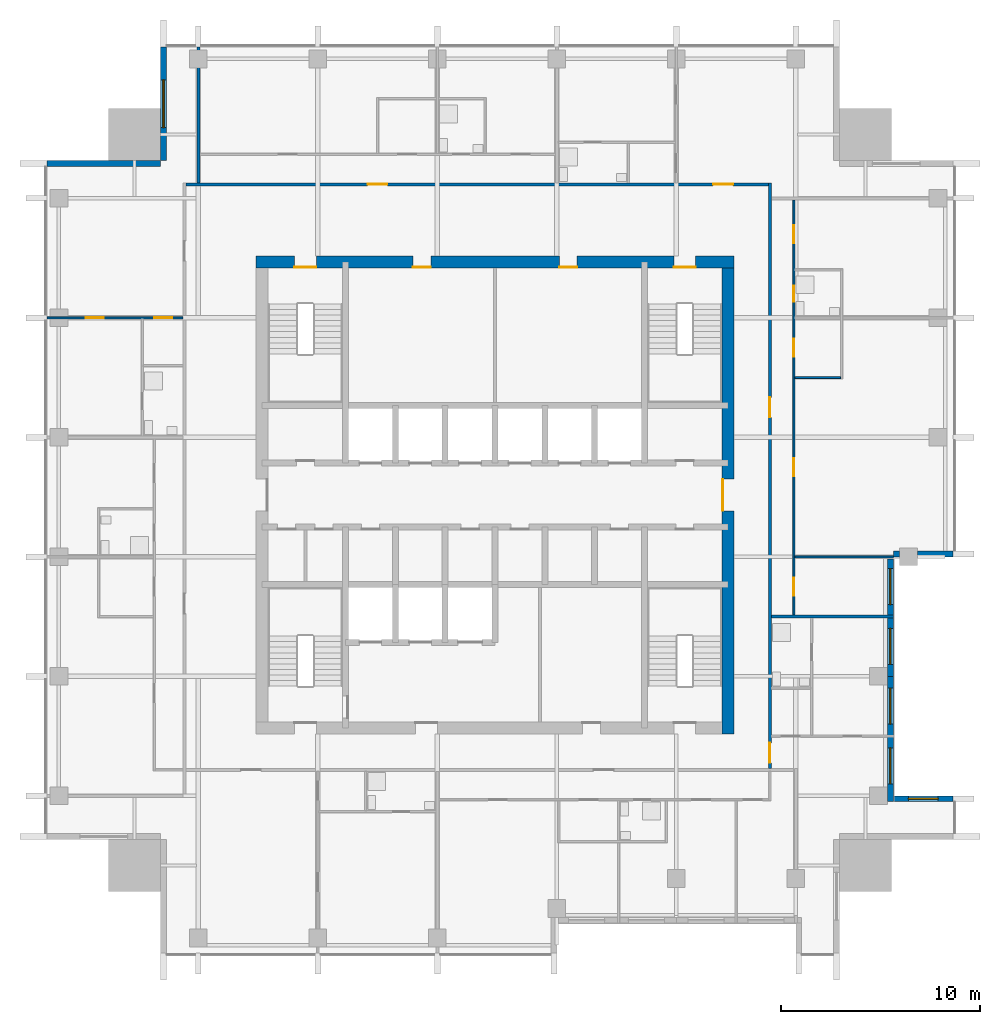
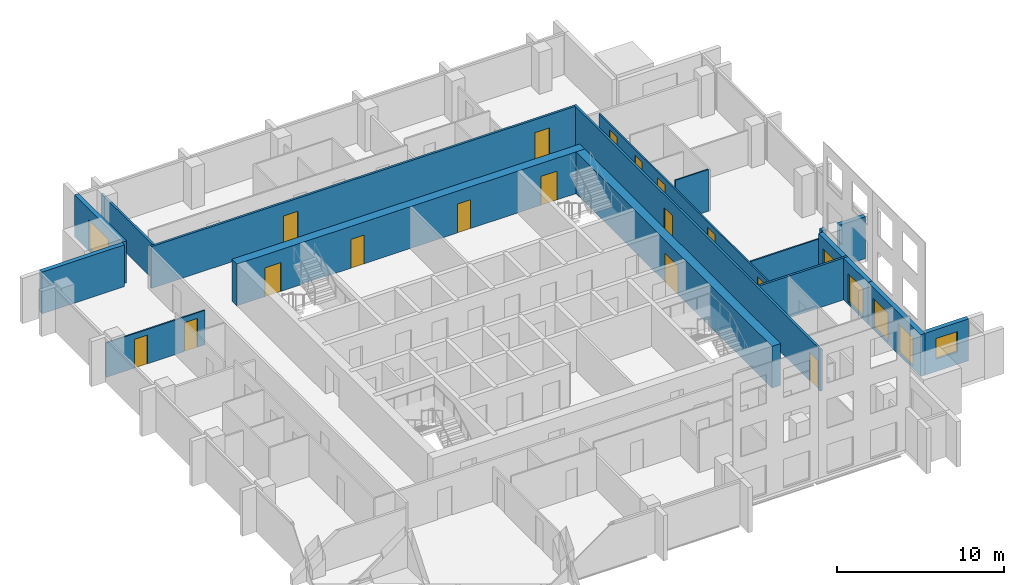
# One storey, part 6 of 10: 17 walls, 16 doors, 6 windows, 22 openings.
"""IFC4 building model written with IfcOpenShell, lengths in metres."""

from ifc_helpers import new_model, si_unit, direction, frame, frame_2d, origin, place, context, subcontext, project, spatial, rectangle, extrude, material, layer, layer_set, type_object, element, fill, save


model = new_model("IFC4")

# Units and contexts
model_context = context("Model", 3, precision=1e-05, world=origin(), true_north=direction((0.0, 1.0)))
body_context = subcontext(model_context, "Body", "Model", "MODEL_VIEW")
ifc_project = project(units=[si_unit("LENGTHUNIT", "METRE"), si_unit("AREAUNIT", "SQUARE_METRE"), si_unit("VOLUMEUNIT", "CUBIC_METRE"), si_unit("PLANEANGLEUNIT", "RADIAN"), si_unit("MASSUNIT", "GRAM", prefix="KILO")], contexts=[model_context])

# Site, building, storey
site_placement = place(None, origin())
site = spatial("IfcSite", under=ifc_project, at=site_placement, CompositionType="ELEMENT")
building_placement = place(site_placement, origin())
building = spatial("IfcBuilding", under=site, at=building_placement, Name="Amberfall Residences", CompositionType="ELEMENT")
storey_placement = place(building_placement, frame((0.0, 0.0, 206.800048828125)))
storey = spatial("IfcBuildingStorey", under=building, at=storey_placement, Name="L55", CompositionType="ELEMENT", Elevation=206.800048828125)

# Wall, opening, window
ifc_material_1 = material(Name="Pale stone cladding on insulated backing", Category="masonry")
ifc_layer_1 = layer(ifc_material_1, 0.300048828125)
ifc_layer_set_1 = layer_set([ifc_layer_1], Name="Bronze clad wall 300")
wall_type_1 = type_object("IfcWallType", Name="Bronze clad wall 300", PredefinedType="SOLIDWALL", material=ifc_layer_set_1)
wall_1_placement = place(storey_placement, frame((97.5, 30.25, 0.0), z_axis=(0.0, 0.0, 1.0), x_axis=(-1.0, 0.0, 0.0)))
wall_1 = element("IfcWall", 1, at=wall_1_placement, inside=storey, type_object=wall_type_1, Name="External wall L55 E", PredefinedType="SOLIDWALL", context=body_context, shape_type="SweptSolid", body=[
    extrude(rectangle(XDim=3.0, YDim=0.300048828125, at=frame_2d((1.5, 0.0))), origin(), (0.0, 0.0, 1.0), 3.050048828125),
])
opening_1_placement = place(wall_1_placement, frame((0.75, 0.0, 0.89990234375)))
opening_1 = element("IfcOpeningElement", 2, at=opening_1_placement, cuts=wall_1, Name="Opening WN1", PredefinedType="OPENING", context=body_context, shape_type="SweptSolid", body=[
    extrude(rectangle(XDim=1.5, YDim=1.5, at=frame_2d((0.75, 0.75))), frame((0.0, 0.159912109375, 0.0), z_axis=(0.0, -1.0, 0.0), x_axis=(1.0, 0.0, 0.0)), (0.0, 0.0, 1.0), 0.320068359375),
])
ifc_material_2 = material(Name="Bronze aluminium framed glazing", Category="aluminium")
window_type_1 = type_object("IfcWindowType", Name="Window 1500 x 1500 bronze", PartitioningType="DOUBLE_PANEL_VERTICAL", PredefinedType="WINDOW", material=ifc_material_2)
window_1_placement = place(opening_1_placement, origin())
window_1 = element("IfcWindow", 3, at=window_1_placement, inside=storey, type_object=window_type_1, Name="Window L55 E", OverallHeight=1.5, OverallWidth=1.5, PartitioningType="DOUBLE_PANEL_VERTICAL", PredefinedType="WINDOW", context=body_context, shape_type="SweptSolid", body=[
    extrude(rectangle(XDim=1.5, YDim=1.5, at=frame_2d((0.75, 0.75))), frame((0.0, 0.030029296875, 0.0), z_axis=(0.0, -1.0, 0.0), x_axis=(1.0, 0.0, 0.0)), (0.0, 0.0, 1.0), 0.06005859375),
])
fill(opening_1, window_1)

# Walls
wall_2_placement = place(storey_placement, frame((94.5, 42.550048828125, 0.0), z_axis=(0.0, 0.0, 1.0), x_axis=(1.0, 0.0, 0.0)))
element("IfcWall", 4, at=wall_2_placement, inside=storey, type_object=wall_type_1, Name="External wall L55 E", PredefinedType="SOLIDWALL", context=body_context, shape_type="SweptSolid", body=[
    extrude(rectangle(XDim=0.300048828125, YDim=0.300048828125, at=frame_2d((0.14990234375, 0.0))), origin(), (0.0, 0.0, 1.0), 3.050048828125),
])
wall_3_placement = place(storey_placement, frame((95.699951171875, 42.550048828125, 0.0), z_axis=(0.0, 0.0, 1.0), x_axis=(1.0, 0.0, 0.0)))
element("IfcWall", 5, at=wall_3_placement, inside=storey, type_object=wall_type_1, Name="External wall L55 E", PredefinedType="SOLIDWALL", context=body_context, shape_type="SweptSolid", body=[
    extrude(rectangle(XDim=1.800048828125, YDim=0.300048828125, at=frame_2d((0.89990234375, 0.0))), origin(), (0.0, 0.0, 1.0), 3.050048828125),
])

# Wall, opening, window
wall_4_placement = place(storey_placement, frame((57.85009765625, 68.0, 0.0), z_axis=(0.0, 0.0, 1.0), x_axis=(0.0, -1.0, 0.0)))
wall_4 = element("IfcWall", 6, at=wall_4_placement, inside=storey, type_object=wall_type_1, Name="External wall L55 NW", PredefinedType="SOLIDWALL", context=body_context, shape_type="SweptSolid", body=[
    extrude(rectangle(XDim=5.699951171875, YDim=0.300048828125, at=frame_2d((2.85009765625, 0.0))), origin(), (0.0, 0.0, 1.0), 3.050048828125),
])
opening_2_placement = place(wall_4_placement, frame((1.64990234375, 0.0, 0.14990234375)))
opening_2 = element("IfcOpeningElement", 7, at=opening_2_placement, cuts=wall_4, Name="Opening WN5", PredefinedType="OPENING", context=body_context, shape_type="SweptSolid", body=[
    extrude(rectangle(XDim=2.39990234375, YDim=2.10009765625, at=frame_2d((1.199951171875, 1.050048828125))), frame((0.0, 0.159912109375, 0.0), z_axis=(0.0, -1.0, 0.0), x_axis=(1.0, 0.0, 0.0)), (0.0, 0.0, 1.0), 0.320068359375),
])
window_type_2 = type_object("IfcWindowType", Name="Glazed opening 2400 x 2100 bronze", PartitioningType="DOUBLE_PANEL_VERTICAL", PredefinedType="WINDOW", material=ifc_material_2)
window_2_placement = place(opening_2_placement, origin())
window_2 = element("IfcWindow", 8, at=window_2_placement, inside=storey, type_object=window_type_2, Name="Window L55 NW", OverallHeight=2.10009765625, OverallWidth=2.39990234375, PartitioningType="DOUBLE_PANEL_VERTICAL", PredefinedType="WINDOW", context=body_context, shape_type="SweptSolid", body=[
    extrude(rectangle(XDim=2.39990234375, YDim=2.10009765625, at=frame_2d((1.199951171875, 1.050048828125))), frame((0.0, 0.030029296875, 0.0), z_axis=(0.0, -1.0, 0.0), x_axis=(1.0, 0.0, 0.0)), (0.0, 0.0, 1.0), 0.06005859375),
])
fill(opening_2, window_2)

# Wall
wall_5_placement = place(storey_placement, frame((57.699951171875, 62.14990234375, 0.0), z_axis=(0.0, 0.0, 1.0), x_axis=(-1.0, 0.0, 0.0)))
element("IfcWall", 9, at=wall_5_placement, inside=storey, type_object=wall_type_1, Name="External wall L55 NW", PredefinedType="SOLIDWALL", context=body_context, shape_type="SweptSolid", body=[
    extrude(rectangle(XDim=5.699951171875, YDim=0.300048828125, at=frame_2d((2.85009765625, 0.0))), origin(), (0.0, 0.0, 1.0), 3.050048828125),
])

# Wall, openings, windows
wall_6_placement = place(storey_placement, frame((94.35009765625, 30.10009765625, 0.0), z_axis=(0.0, 0.0, 1.0), x_axis=(0.0, 1.0, 0.0)))
wall_6 = element("IfcWall", 10, at=wall_6_placement, inside=storey, type_object=wall_type_1, Name="Stone wall L55 E", PredefinedType="SOLIDWALL", context=body_context, shape_type="SweptSolid", body=[
    extrude(rectangle(XDim=6.2998046875, YDim=0.300048828125, at=frame_2d((3.14990234375, 0.0))), origin(), (0.0, 0.0, 1.0), 3.050048828125),
])
opening_3_placement = place(wall_6_placement, frame((0.89990234375, 0.0, 0.14990234375)))
opening_3 = element("IfcOpeningElement", 11, at=opening_3_placement, cuts=wall_6, Name="Opening WN6", PredefinedType="OPENING", context=body_context, shape_type="SweptSolid", body=[
    extrude(rectangle(XDim=1.800048828125, YDim=2.10009765625, at=frame_2d((0.89990234375, 1.050048828125))), frame((0.0, 0.159912109375, 0.0), z_axis=(0.0, -1.0, 0.0), x_axis=(1.0, 0.0, 0.0)), (0.0, 0.0, 1.0), 0.320068359375),
])
opening_4_placement = place(wall_6_placement, frame((3.89990234375, 0.0, 0.14990234375)))
opening_4 = element("IfcOpeningElement", 12, at=opening_4_placement, cuts=wall_6, Name="Opening WN6", PredefinedType="OPENING", context=body_context, shape_type="SweptSolid", body=[
    extrude(rectangle(XDim=1.800048828125, YDim=2.10009765625, at=frame_2d((0.89990234375, 1.050048828125))), frame((0.0, 0.159912109375, 0.0), z_axis=(0.0, -1.0, 0.0), x_axis=(1.0, 0.0, 0.0)), (0.0, 0.0, 1.0), 0.320068359375),
])
window_type_3 = type_object("IfcWindowType", Name="Glazed opening 1800 x 2100 bronze", PartitioningType="DOUBLE_PANEL_VERTICAL", PredefinedType="WINDOW", material=ifc_material_2)
window_3_placement = place(opening_3_placement, origin())
window_3 = element("IfcWindow", 13, at=window_3_placement, inside=storey, type_object=window_type_3, Name="Window L55 E", OverallHeight=2.10009765625, OverallWidth=1.800048828125, PartitioningType="DOUBLE_PANEL_VERTICAL", PredefinedType="WINDOW", context=body_context, shape_type="SweptSolid", body=[
    extrude(rectangle(XDim=1.800048828125, YDim=2.10009765625, at=frame_2d((0.89990234375, 1.050048828125))), frame((0.0, 0.030029296875, 0.0), z_axis=(0.0, -1.0, 0.0), x_axis=(1.0, 0.0, 0.0)), (0.0, 0.0, 1.0), 0.06005859375),
])
fill(opening_3, window_3)
window_4_placement = place(opening_4_placement, origin())
window_4 = element("IfcWindow", 14, at=window_4_placement, inside=storey, type_object=window_type_3, Name="Window L55 E", OverallHeight=2.10009765625, OverallWidth=1.800048828125, PartitioningType="DOUBLE_PANEL_VERTICAL", PredefinedType="WINDOW", context=body_context, shape_type="SweptSolid", body=[
    extrude(rectangle(XDim=1.800048828125, YDim=2.10009765625, at=frame_2d((0.89990234375, 1.050048828125))), frame((0.0, 0.030029296875, 0.0), z_axis=(0.0, -1.0, 0.0), x_axis=(1.0, 0.0, 0.0)), (0.0, 0.0, 1.0), 0.06005859375),
])
fill(opening_4, window_4)

wall_7_placement = place(storey_placement, frame((94.35009765625, 36.39990234375, 0.0), z_axis=(0.0, 0.0, 1.0), x_axis=(0.0, 1.0, 0.0)))
wall_7 = element("IfcWall", 15, at=wall_7_placement, inside=storey, type_object=wall_type_1, Name="Stone wall L55 E", PredefinedType="SOLIDWALL", context=body_context, shape_type="SweptSolid", body=[
    extrude(rectangle(XDim=5.900146484375, YDim=0.300048828125, at=frame_2d((2.9501953125, 0.0))), origin(), (0.0, 0.0, 1.0), 3.050048828125),
])
opening_5_placement = place(wall_7_placement, frame((0.60009765625, 0.0, 0.14990234375)))
opening_5 = element("IfcOpeningElement", 16, at=opening_5_placement, cuts=wall_7, Name="Opening WN6", PredefinedType="OPENING", context=body_context, shape_type="SweptSolid", body=[
    extrude(rectangle(XDim=1.800048828125, YDim=2.10009765625, at=frame_2d((0.89990234375, 1.050048828125))), frame((0.0, 0.159912109375, 0.0), z_axis=(0.0, -1.0, 0.0), x_axis=(1.0, 0.0, 0.0)), (0.0, 0.0, 1.0), 0.320068359375),
])
opening_6_placement = place(wall_7_placement, frame((3.60009765625, 0.0, 0.14990234375)))
opening_6 = element("IfcOpeningElement", 17, at=opening_6_placement, cuts=wall_7, Name="Opening WN6", PredefinedType="OPENING", context=body_context, shape_type="SweptSolid", body=[
    extrude(rectangle(XDim=1.800048828125, YDim=2.10009765625, at=frame_2d((0.89990234375, 1.050048828125))), frame((0.0, 0.159912109375, 0.0), z_axis=(0.0, -1.0, 0.0), x_axis=(1.0, 0.0, 0.0)), (0.0, 0.0, 1.0), 0.320068359375),
])
window_5_placement = place(opening_5_placement, origin())
window_5 = element("IfcWindow", 18, at=window_5_placement, inside=storey, type_object=window_type_3, Name="Window L55 E", OverallHeight=2.10009765625, OverallWidth=1.800048828125, PartitioningType="DOUBLE_PANEL_VERTICAL", PredefinedType="WINDOW", context=body_context, shape_type="SweptSolid", body=[
    extrude(rectangle(XDim=1.800048828125, YDim=2.10009765625, at=frame_2d((0.89990234375, 1.050048828125))), frame((0.0, 0.030029296875, 0.0), z_axis=(0.0, -1.0, 0.0), x_axis=(1.0, 0.0, 0.0)), (0.0, 0.0, 1.0), 0.06005859375),
])
fill(opening_5, window_5)
window_6_placement = place(opening_6_placement, origin())
window_6 = element("IfcWindow", 19, at=window_6_placement, inside=storey, type_object=window_type_3, Name="Window L55 E", OverallHeight=2.10009765625, OverallWidth=1.800048828125, PartitioningType="DOUBLE_PANEL_VERTICAL", PredefinedType="WINDOW", context=body_context, shape_type="SweptSolid", body=[
    extrude(rectangle(XDim=1.800048828125, YDim=2.10009765625, at=frame_2d((0.89990234375, 1.050048828125))), frame((0.0, 0.030029296875, 0.0), z_axis=(0.0, -1.0, 0.0), x_axis=(1.0, 0.0, 0.0)), (0.0, 0.0, 1.0), 0.06005859375),
])
fill(opening_6, window_6)

# Wall, openings, doors
ifc_material_3 = material(Name="Concrete C55", Category="concrete")
ifc_layer_2 = layer(ifc_material_3, 0.60009765625)
ifc_layer_set_2 = layer_set([ifc_layer_2], Name="Core wall 600 C55")
wall_type_2 = type_object("IfcWallType", Name="Core wall 600 C55", PredefinedType="SHEAR", material=ifc_layer_set_2)
wall_8_placement = place(storey_placement, frame((62.5, 57.199951171875, 0.0), z_axis=(0.0, 0.0, 1.0), x_axis=(1.0, 0.0, 0.0)))
wall_8 = element("IfcWall", 20, at=wall_8_placement, inside=storey, type_object=wall_type_2, Name="Core wall RW7 L55 ON", PredefinedType="SHEAR", context=body_context, shape_type="SweptSolid", body=[
    extrude(rectangle(XDim=24.0, YDim=0.60009765625, at=frame_2d((12.0, 0.0))), origin(), (0.0, 0.0, 1.0), 3.050048828125),
])
opening_7_placement = place(wall_8_placement, frame((20.97509765625, 0.0, 0.0)))
opening_7 = element("IfcOpeningElement", 21, at=opening_7_placement, cuts=wall_8, Name="Opening SD1", PredefinedType="OPENING", context=body_context, shape_type="SweptSolid", body=[
    extrude(rectangle(XDim=1.10009765625, YDim=2.10009765625, at=frame_2d((0.550048828125, 1.050048828125))), frame((0.0, 0.31005859375, 0.0), z_axis=(0.0, -1.0, 0.0), x_axis=(1.0, 0.0, 0.0)), (0.0, 0.0, 1.0), 0.6201171875),
])
opening_8_placement = place(wall_8_placement, frame((1.925048828125, 0.0, 0.0)))
opening_8 = element("IfcOpeningElement", 22, at=opening_8_placement, cuts=wall_8, Name="Opening SD1", PredefinedType="OPENING", context=body_context, shape_type="SweptSolid", body=[
    extrude(rectangle(XDim=1.10009765625, YDim=2.10009765625, at=frame_2d((0.550048828125, 1.050048828125))), frame((0.0, 0.31005859375, 0.0), z_axis=(0.0, -1.0, 0.0), x_axis=(1.0, 0.0, 0.0)), (0.0, 0.0, 1.0), 0.6201171875),
])
opening_9_placement = place(wall_8_placement, frame((7.875, 0.0, 0.0)))
opening_9 = element("IfcOpeningElement", 23, at=opening_9_placement, cuts=wall_8, Name="Opening RD1", PredefinedType="OPENING", context=body_context, shape_type="SweptSolid", body=[
    extrude(rectangle(XDim=0.89990234375, YDim=2.10009765625, at=frame_2d((0.449951171875, 1.050048828125))), frame((0.0, 0.31005859375, 0.0), z_axis=(0.0, -1.0, 0.0), x_axis=(1.0, 0.0, 0.0)), (0.0, 0.0, 1.0), 0.6201171875),
])
opening_10_placement = place(wall_8_placement, frame((15.22509765625, 0.0, 0.0)))
opening_10 = element("IfcOpeningElement", 24, at=opening_10_placement, cuts=wall_8, Name="Opening RD1", PredefinedType="OPENING", context=body_context, shape_type="SweptSolid", body=[
    extrude(rectangle(XDim=0.89990234375, YDim=2.10009765625, at=frame_2d((0.449951171875, 1.050048828125))), frame((0.0, 0.31005859375, 0.0), z_axis=(0.0, -1.0, 0.0), x_axis=(1.0, 0.0, 0.0)), (0.0, 0.0, 1.0), 0.6201171875),
])
ifc_material_4 = material(Name="Steel fire door set", Category="steel")
door_type_1 = type_object("IfcDoorType", Name="Service room door 900 x 2100", OperationType="SINGLE_SWING_LEFT", PredefinedType="DOOR", material=ifc_material_4)
door_1_placement = place(opening_9_placement, origin())
door_1 = element("IfcDoor", 25, at=door_1_placement, inside=storey, type_object=door_type_1, Name="RD1 L55", OperationType="SINGLE_SWING_RIGHT", OverallHeight=2.10009765625, OverallWidth=0.89990234375, PredefinedType="DOOR", context=body_context, shape_type="SweptSolid", body=[
    extrude(rectangle(XDim=0.89990234375, YDim=2.10009765625, at=frame_2d((0.449951171875, 1.050048828125))), frame((0.0, -0.2373046875, 0.0), z_axis=(0.0, -1.0, 0.0), x_axis=(1.0, 0.0, 0.0)), (0.0, 0.0, 1.0), 0.050048828125),
])
fill(opening_9, door_1)
door_2_placement = place(opening_10_placement, origin())
door_2 = element("IfcDoor", 26, at=door_2_placement, inside=storey, type_object=door_type_1, Name="RD1 L55", OperationType="SINGLE_SWING_RIGHT", OverallHeight=2.10009765625, OverallWidth=0.89990234375, PredefinedType="DOOR", context=body_context, shape_type="SweptSolid", body=[
    extrude(rectangle(XDim=0.89990234375, YDim=2.10009765625, at=frame_2d((0.449951171875, 1.050048828125))), frame((0.0, -0.2373046875, 0.0), z_axis=(0.0, -1.0, 0.0), x_axis=(1.0, 0.0, 0.0)), (0.0, 0.0, 1.0), 0.050048828125),
])
fill(opening_10, door_2)
door_type_2 = type_object("IfcDoorType", Name="Stair door 1100 x 2100", OperationType="SINGLE_SWING_LEFT", PredefinedType="DOOR", material=ifc_material_4)
door_3_placement = place(opening_7_placement, origin())
door_3 = element("IfcDoor", 27, at=door_3_placement, inside=storey, type_object=door_type_2, Name="SD1 L55", OperationType="SINGLE_SWING_RIGHT", OverallHeight=2.10009765625, OverallWidth=1.10009765625, PredefinedType="DOOR", context=body_context, shape_type="SweptSolid", body=[
    extrude(rectangle(XDim=1.10009765625, YDim=2.10009765625, at=frame_2d((0.550048828125, 1.050048828125))), frame((0.0, -0.2373046875, 0.0), z_axis=(0.0, -1.0, 0.0), x_axis=(1.0, 0.0, 0.0)), (0.0, 0.0, 1.0), 0.050048828125),
])
fill(opening_7, door_3)
door_4_placement = place(opening_8_placement, origin())
door_4 = element("IfcDoor", 28, at=door_4_placement, inside=storey, type_object=door_type_2, Name="SD1 L55", OperationType="SINGLE_SWING_LEFT", OverallHeight=2.10009765625, OverallWidth=1.10009765625, PredefinedType="DOOR", context=body_context, shape_type="SweptSolid", body=[
    extrude(rectangle(XDim=1.10009765625, YDim=2.10009765625, at=frame_2d((0.550048828125, 1.050048828125))), frame((0.0, -0.2373046875, 0.0), z_axis=(0.0, -1.0, 0.0), x_axis=(1.0, 0.0, 0.0)), (0.0, 0.0, 1.0), 0.050048828125),
])
fill(opening_8, door_4)

# Wall, opening, door
wall_9_placement = place(storey_placement, frame((86.199951171875, 33.5, 0.0), z_axis=(0.0, 0.0, 1.0), x_axis=(0.0, 1.0, 0.0)))
wall_9 = element("IfcWall", 29, at=wall_9_placement, inside=storey, type_object=wall_type_2, Name="Core wall RW7 L55 OE", PredefinedType="SHEAR", context=body_context, shape_type="SweptSolid", body=[
    extrude(rectangle(XDim=24.0, YDim=0.60009765625, at=frame_2d((12.0, 0.0))), origin(), (0.0, 0.0, 1.0), 3.050048828125),
])
opening_11_placement = place(wall_9_placement, frame((11.199951171875, 0.0, 0.0)))
opening_11 = element("IfcOpeningElement", 30, at=opening_11_placement, cuts=wall_9, Name="Opening LB1", PredefinedType="OPENING", context=body_context, shape_type="SweptSolid", body=[
    extrude(rectangle(XDim=1.60009765625, YDim=2.10009765625, at=frame_2d((0.800048828125, 1.050048828125))), frame((0.0, 0.31005859375, 0.0), z_axis=(0.0, -1.0, 0.0), x_axis=(1.0, 0.0, 0.0)), (0.0, 0.0, 1.0), 0.6201171875),
])
door_type_3 = type_object("IfcDoorType", Name="Lift lobby double door 1600 x 2100", OperationType="DOUBLE_DOOR_SINGLE_SWING", PredefinedType="DOOR", material=ifc_material_4)
door_5_placement = place(opening_11_placement, origin())
door_5 = element("IfcDoor", 31, at=door_5_placement, inside=storey, type_object=door_type_3, Name="LB1 L55", OperationType="DOUBLE_DOOR_SINGLE_SWING", OverallHeight=2.10009765625, OverallWidth=1.60009765625, PredefinedType="DOOR", context=body_context, shape_type="SweptSolid", body=[
    extrude(rectangle(XDim=1.60009765625, YDim=2.10009765625, at=frame_2d((0.800048828125, 1.050048828125))), frame((0.0, 0.28759765625, 0.0), z_axis=(0.0, -1.0, 0.0), x_axis=(1.0, 0.0, 0.0)), (0.0, 0.0, 1.0), 0.050048828125),
])
fill(opening_11, door_5)

# Wall, openings, doors
ifc_material_5 = material(Name="Gypsum board on metal stud")
ifc_layer_3 = layer(ifc_material_5, 0.10009765625)
ifc_layer_set_3 = layer_set([ifc_layer_3], Name="Flat partition 100")
wall_type_3 = type_object("IfcWallType", Name="Flat partition 100", PredefinedType="PARTITIONING", material=ifc_layer_set_3)
wall_10_placement = place(storey_placement, frame((89.5, 60.324951171875, 0.0), z_axis=(0.0, 0.0, 1.0), x_axis=(0.0, -1.0, 0.0)))
wall_10 = element("IfcWall", 32, at=wall_10_placement, inside=storey, type_object=wall_type_3, Name="Partition 016", PredefinedType="PARTITIONING", context=body_context, shape_type="SweptSolid", body=[
    extrude(rectangle(XDim=20.849853515625, YDim=0.10009765625, at=frame_2d((10.4248046875, 0.0))), origin(), (0.0, 0.0, 1.0), 2.510009765625),
])
opening_12_placement = place(wall_10_placement, frame((12.97509765625, 0.0, 0.0)))
opening_12 = element("IfcOpeningElement", 33, at=opening_12_placement, cuts=wall_10, Name="Opening D41", PredefinedType="OPENING", context=body_context, shape_type="SweptSolid", body=[
    extrude(rectangle(XDim=0.89990234375, YDim=2.10009765625, at=frame_2d((0.449951171875, 1.050048828125))), frame((0.0, 0.06005859375, 0.0), z_axis=(0.0, -1.0, 0.0), x_axis=(1.0, 0.0, 0.0)), (0.0, 0.0, 1.0), 0.1201171875),
])
opening_13_placement = place(wall_10_placement, frame((6.97509765625, 0.0, 0.0)))
opening_13 = element("IfcOpeningElement", 34, at=opening_13_placement, cuts=wall_10, Name="Opening D41", PredefinedType="OPENING", context=body_context, shape_type="SweptSolid", body=[
    extrude(rectangle(XDim=0.89990234375, YDim=2.10009765625, at=frame_2d((0.449951171875, 1.050048828125))), frame((0.0, 0.06005859375, 0.0), z_axis=(0.0, -1.0, 0.0), x_axis=(1.0, 0.0, 0.0)), (0.0, 0.0, 1.0), 0.1201171875),
])
opening_14_placement = place(wall_10_placement, frame((18.97509765625, 0.0, 0.0)))
opening_14 = element("IfcOpeningElement", 35, at=opening_14_placement, cuts=wall_10, Name="Opening D41", PredefinedType="OPENING", context=body_context, shape_type="SweptSolid", body=[
    extrude(rectangle(XDim=0.89990234375, YDim=2.10009765625, at=frame_2d((0.449951171875, 1.050048828125))), frame((0.0, 0.06005859375, 0.0), z_axis=(0.0, -1.0, 0.0), x_axis=(1.0, 0.0, 0.0)), (0.0, 0.0, 1.0), 0.1201171875),
])
opening_15_placement = place(wall_10_placement, frame((1.27490234375, 0.0, 0.0)))
opening_15 = element("IfcOpeningElement", 36, at=opening_15_placement, cuts=wall_10, Name="Opening D41", PredefinedType="OPENING", context=body_context, shape_type="SweptSolid", body=[
    extrude(rectangle(XDim=0.89990234375, YDim=2.10009765625, at=frame_2d((0.449951171875, 1.050048828125))), frame((0.0, 0.06005859375, 0.0), z_axis=(0.0, -1.0, 0.0), x_axis=(1.0, 0.0, 0.0)), (0.0, 0.0, 1.0), 0.1201171875),
])
opening_16_placement = place(wall_10_placement, frame((4.324951171875, 0.0, 0.0)))
opening_16 = element("IfcOpeningElement", 37, at=opening_16_placement, cuts=wall_10, Name="Opening D42", PredefinedType="OPENING", context=body_context, shape_type="SweptSolid", body=[
    extrude(rectangle(XDim=0.800048828125, YDim=2.10009765625, at=frame_2d((0.39990234375, 1.050048828125))), frame((0.0, 0.06005859375, 0.0), z_axis=(0.0, -1.0, 0.0), x_axis=(1.0, 0.0, 0.0)), (0.0, 0.0, 1.0), 0.1201171875),
])
ifc_material_6 = material(Name="Timber", Category="wood")
door_type_4 = type_object("IfcDoorType", Name="Bathroom door 800 x 2100", OperationType="SINGLE_SWING_LEFT", PredefinedType="DOOR", material=ifc_material_6)
door_6_placement = place(opening_16_placement, origin())
door_6 = element("IfcDoor", 38, at=door_6_placement, inside=storey, type_object=door_type_4, Name="Door 5504 bath1", OperationType="SINGLE_SWING_LEFT", OverallHeight=2.10009765625, OverallWidth=0.800048828125, PredefinedType="DOOR", context=body_context, shape_type="SweptSolid", body=[
    extrude(rectangle(XDim=0.800048828125, YDim=2.10009765625, at=frame_2d((0.39990234375, 1.050048828125))), frame((0.0, 0.02490234375, 0.0), z_axis=(0.0, -1.0, 0.0), x_axis=(1.0, 0.0, 0.0)), (0.0, 0.0, 1.0), 0.050048828125),
])
fill(opening_16, door_6)
door_type_5 = type_object("IfcDoorType", Name="Internal door 900 x 2100", OperationType="SINGLE_SWING_LEFT", PredefinedType="DOOR", material=ifc_material_6)
door_7_placement = place(opening_12_placement, origin())
door_7 = element("IfcDoor", 39, at=door_7_placement, inside=storey, type_object=door_type_5, Name="Door 5504 living", OperationType="SINGLE_SWING_LEFT", OverallHeight=2.10009765625, OverallWidth=0.89990234375, PredefinedType="DOOR", context=body_context, shape_type="SweptSolid", body=[
    extrude(rectangle(XDim=0.89990234375, YDim=2.10009765625, at=frame_2d((0.449951171875, 1.050048828125))), frame((0.0, 0.02490234375, 0.0), z_axis=(0.0, -1.0, 0.0), x_axis=(1.0, 0.0, 0.0)), (0.0, 0.0, 1.0), 0.050048828125),
])
fill(opening_12, door_7)
door_8_placement = place(opening_13_placement, origin())
door_8 = element("IfcDoor", 40, at=door_8_placement, inside=storey, type_object=door_type_5, Name="Door 5504 kitchen", OperationType="SINGLE_SWING_LEFT", OverallHeight=2.10009765625, OverallWidth=0.89990234375, PredefinedType="DOOR", context=body_context, shape_type="SweptSolid", body=[
    extrude(rectangle(XDim=0.89990234375, YDim=2.10009765625, at=frame_2d((0.449951171875, 1.050048828125))), frame((0.0, 0.02490234375, 0.0), z_axis=(0.0, -1.0, 0.0), x_axis=(1.0, 0.0, 0.0)), (0.0, 0.0, 1.0), 0.050048828125),
])
fill(opening_13, door_8)
door_9_placement = place(opening_14_placement, origin())
door_9 = element("IfcDoor", 41, at=door_9_placement, inside=storey, type_object=door_type_5, Name="Door 5504 bedroom1", OperationType="SINGLE_SWING_LEFT", OverallHeight=2.10009765625, OverallWidth=0.89990234375, PredefinedType="DOOR", context=body_context, shape_type="SweptSolid", body=[
    extrude(rectangle(XDim=0.89990234375, YDim=2.10009765625, at=frame_2d((0.449951171875, 1.050048828125))), frame((0.0, 0.02490234375, 0.0), z_axis=(0.0, -1.0, 0.0), x_axis=(1.0, 0.0, 0.0)), (0.0, 0.0, 1.0), 0.050048828125),
])
fill(opening_14, door_9)
door_10_placement = place(opening_15_placement, origin())
door_10 = element("IfcDoor", 42, at=door_10_placement, inside=storey, type_object=door_type_5, Name="Door 5504 bedroom2", OperationType="SINGLE_SWING_LEFT", OverallHeight=2.10009765625, OverallWidth=0.89990234375, PredefinedType="DOOR", context=body_context, shape_type="SweptSolid", body=[
    extrude(rectangle(XDim=0.89990234375, YDim=2.10009765625, at=frame_2d((0.449951171875, 1.050048828125))), frame((0.0, 0.02490234375, 0.0), z_axis=(0.0, -1.0, 0.0), x_axis=(1.0, 0.0, 0.0)), (0.0, 0.0, 1.0), 0.050048828125),
])
fill(opening_15, door_10)

wall_11_placement = place(storey_placement, frame((58.824951171875, 54.39990234375, 0.0), z_axis=(0.0, 0.0, 1.0), x_axis=(-1.0, 0.0, 0.0)))
wall_11 = element("IfcWall", 43, at=wall_11_placement, inside=storey, type_object=wall_type_3, Name="Partition 023", PredefinedType="PARTITIONING", context=body_context, shape_type="SweptSolid", body=[
    extrude(rectangle(XDim=6.824951171875, YDim=0.10009765625, at=frame_2d((3.41259765625, 0.0))), origin(), (0.0, 0.0, 1.0), 2.515869140625),
])
opening_17_placement = place(wall_11_placement, frame((0.52490234375, 0.0, 0.0)))
opening_17 = element("IfcOpeningElement", 44, at=opening_17_placement, cuts=wall_11, Name="Opening D41", PredefinedType="OPENING", context=body_context, shape_type="SweptSolid", body=[
    extrude(rectangle(XDim=0.89990234375, YDim=2.10009765625, at=frame_2d((0.449951171875, 1.050048828125))), frame((0.0, 0.06005859375, 0.0), z_axis=(0.0, -1.0, 0.0), x_axis=(1.0, 0.0, 0.0)), (0.0, 0.0, 1.0), 0.1201171875),
])
opening_18_placement = place(wall_11_placement, frame((3.97509765625, 0.0, 0.0)))
opening_18 = element("IfcOpeningElement", 45, at=opening_18_placement, cuts=wall_11, Name="Opening D41", PredefinedType="OPENING", context=body_context, shape_type="SweptSolid", body=[
    extrude(rectangle(XDim=0.89990234375, YDim=2.10009765625, at=frame_2d((0.449951171875, 1.050048828125))), frame((0.0, 0.06005859375, 0.0), z_axis=(0.0, -1.0, 0.0), x_axis=(1.0, 0.0, 0.0)), (0.0, 0.0, 1.0), 0.1201171875),
])
door_11_placement = place(opening_17_placement, origin())
door_11 = element("IfcDoor", 46, at=door_11_placement, inside=storey, type_object=door_type_5, Name="Door 5508 kitchen", OperationType="SINGLE_SWING_LEFT", OverallHeight=2.10009765625, OverallWidth=0.89990234375, PredefinedType="DOOR", context=body_context, shape_type="SweptSolid", body=[
    extrude(rectangle(XDim=0.89990234375, YDim=2.10009765625, at=frame_2d((0.449951171875, 1.050048828125))), frame((0.0, 0.02490234375, 0.0), z_axis=(0.0, -1.0, 0.0), x_axis=(1.0, 0.0, 0.0)), (0.0, 0.0, 1.0), 0.050048828125),
])
fill(opening_17, door_11)
door_12_placement = place(opening_18_placement, origin())
door_12 = element("IfcDoor", 47, at=door_12_placement, inside=storey, type_object=door_type_5, Name="Door 5508 bedroom1", OperationType="SINGLE_SWING_LEFT", OverallHeight=2.10009765625, OverallWidth=0.89990234375, PredefinedType="DOOR", context=body_context, shape_type="SweptSolid", body=[
    extrude(rectangle(XDim=0.89990234375, YDim=2.10009765625, at=frame_2d((0.449951171875, 1.050048828125))), frame((0.0, 0.02490234375, 0.0), z_axis=(0.0, -1.0, 0.0), x_axis=(1.0, 0.0, 0.0)), (0.0, 0.0, 1.0), 0.050048828125),
])
fill(opening_18, door_12)

# Walls
wall_12_placement = place(storey_placement, frame((89.550048828125, 51.39990234375, 0.0), z_axis=(0.0, 0.0, 1.0), x_axis=(1.0, 0.0, 0.0)))
element("IfcWall", 48, at=wall_12_placement, inside=storey, type_object=wall_type_3, Name="Partition 026", PredefinedType="PARTITIONING", context=body_context, shape_type="SweptSolid", body=[
    extrude(rectangle(XDim=2.300048828125, YDim=0.10009765625, at=frame_2d((1.14990234375, 0.0))), origin(), (0.0, 0.0, 1.0), 3.050048828125),
])
wall_13_placement = place(storey_placement, frame((89.550048828125, 42.39990234375, 0.0), z_axis=(0.0, 0.0, 1.0), x_axis=(1.0, 0.0, 0.0)))
element("IfcWall", 49, at=wall_13_placement, inside=storey, type_object=wall_type_3, Name="Partition 029", PredefinedType="PARTITIONING", context=body_context, shape_type="SweptSolid", body=[
    extrude(rectangle(XDim=4.949951171875, YDim=0.10009765625, at=frame_2d((2.47509765625, 0.0))), origin(), (0.0, 0.0, 1.0), 2.58984375),
])
ifc_material_7 = material(Name="Blockwork, plastered", Category="masonry")
ifc_layer_4 = layer(ifc_material_7, 0.14990234375)
ifc_layer_set_4 = layer_set([ifc_layer_4], Name="Flat separating wall 150")
wall_type_4 = type_object("IfcWallType", Name="Flat separating wall 150", PredefinedType="PARTITIONING", material=ifc_layer_set_4)
wall_14_placement = place(storey_placement, frame((59.60009765625, 61.175048828125, 0.0), z_axis=(0.0, 0.0, 1.0), x_axis=(0.0, 1.0, 0.0)))
element("IfcWall", 50, at=wall_14_placement, inside=storey, type_object=wall_type_4, Name="Separating wall 038", PredefinedType="PARTITIONING", context=body_context, shape_type="SweptSolid", body=[
    extrude(rectangle(XDim=6.824951171875, YDim=0.14990234375, at=frame_2d((3.41259765625, 0.0))), origin(), (0.0, 0.0, 1.0), 2.510009765625),
])

# Wall, openings, doors
wall_15_placement = place(storey_placement, frame((88.300048828125, 61.175048828125, 0.0), z_axis=(0.0, 0.0, 1.0), x_axis=(0.0, -1.0, 0.0)))
wall_15 = element("IfcWall", 51, at=wall_15_placement, inside=storey, type_object=wall_type_4, Name="Separating wall 041", PredefinedType="PARTITIONING", context=body_context, shape_type="SweptSolid", body=[
    extrude(rectangle(XDim=29.400146484375, YDim=0.14990234375, at=frame_2d((14.7001953125, 0.0))), origin(), (0.0, 0.0, 1.0), 3.050048828125),
])
opening_19_placement = place(wall_15_placement, frame((28.125, 0.0, 0.0)))
opening_19 = element("IfcOpeningElement", 52, at=opening_19_placement, cuts=wall_15, Name="Opening D40", PredefinedType="OPENING", context=body_context, shape_type="SweptSolid", body=[
    extrude(rectangle(XDim=1.0, YDim=2.10009765625, at=frame_2d((0.5, 1.050048828125))), frame((0.0, 0.0849609375, 0.0), z_axis=(0.0, -1.0, 0.0), x_axis=(1.0, 0.0, 0.0)), (0.0, 0.0, 1.0), 0.169921875),
])
opening_20_placement = place(wall_15_placement, frame((10.77490234375, 0.0, 0.0)))
opening_20 = element("IfcOpeningElement", 53, at=opening_20_placement, cuts=wall_15, Name="Opening D40", PredefinedType="OPENING", context=body_context, shape_type="SweptSolid", body=[
    extrude(rectangle(XDim=1.0, YDim=2.10009765625, at=frame_2d((0.5, 1.050048828125))), frame((0.0, 0.0849609375, 0.0), z_axis=(0.0, -1.0, 0.0), x_axis=(1.0, 0.0, 0.0)), (0.0, 0.0, 1.0), 0.169921875),
])
ifc_material_8 = material(Name="Timber, fire-rated", Category="wood")
door_type_6 = type_object("IfcDoorType", Name="Flat entrance door FD60 1000 x 2100", OperationType="SINGLE_SWING_LEFT", PredefinedType="DOOR", material=ifc_material_8)
door_13_placement = place(opening_19_placement, origin())
door_13 = element("IfcDoor", 54, at=door_13_placement, inside=storey, type_object=door_type_6, Name="Door 5503 entrance", OperationType="SINGLE_SWING_LEFT", OverallHeight=2.10009765625, OverallWidth=1.0, PredefinedType="DOOR", context=body_context, shape_type="SweptSolid", body=[
    extrude(rectangle(XDim=1.0, YDim=2.10009765625, at=frame_2d((0.5, 1.050048828125))), frame((0.0, 0.02490234375, 0.0), z_axis=(0.0, -1.0, 0.0), x_axis=(1.0, 0.0, 0.0)), (0.0, 0.0, 1.0), 0.050048828125),
])
fill(opening_19, door_13)
door_14_placement = place(opening_20_placement, origin())
door_14 = element("IfcDoor", 55, at=door_14_placement, inside=storey, type_object=door_type_6, Name="Door 5504 entrance", OperationType="SINGLE_SWING_LEFT", OverallHeight=2.10009765625, OverallWidth=1.0, PredefinedType="DOOR", context=body_context, shape_type="SweptSolid", body=[
    extrude(rectangle(XDim=1.0, YDim=2.10009765625, at=frame_2d((0.5, 1.050048828125))), frame((0.0, 0.02490234375, 0.0), z_axis=(0.0, -1.0, 0.0), x_axis=(1.0, 0.0, 0.0)), (0.0, 0.0, 1.0), 0.050048828125),
])
fill(opening_20, door_14)

wall_16_placement = place(storey_placement, frame((58.97509765625, 61.10009765625, 0.0), z_axis=(0.0, 0.0, 1.0), x_axis=(1.0, 0.0, 0.0)))
wall_16 = element("IfcWall", 56, at=wall_16_placement, inside=storey, type_object=wall_type_4, Name="Separating wall 043", PredefinedType="PARTITIONING", context=body_context, shape_type="SweptSolid", body=[
    extrude(rectangle(XDim=29.25, YDim=0.14990234375, at=frame_2d((14.625, 0.0))), origin(), (0.0, 0.0, 1.0), 3.050048828125),
])
opening_21_placement = place(wall_16_placement, frame((9.125, 0.0, 0.0)))
opening_21 = element("IfcOpeningElement", 57, at=opening_21_placement, cuts=wall_16, Name="Opening D40", PredefinedType="OPENING", context=body_context, shape_type="SweptSolid", body=[
    extrude(rectangle(XDim=1.0, YDim=2.10009765625, at=frame_2d((0.5, 1.050048828125))), frame((0.0, 0.0849609375, 0.0), z_axis=(0.0, -1.0, 0.0), x_axis=(1.0, 0.0, 0.0)), (0.0, 0.0, 1.0), 0.169921875),
])
opening_22_placement = place(wall_16_placement, frame((26.47509765625, 0.0, 0.0)))
opening_22 = element("IfcOpeningElement", 58, at=opening_22_placement, cuts=wall_16, Name="Opening D40", PredefinedType="OPENING", context=body_context, shape_type="SweptSolid", body=[
    extrude(rectangle(XDim=1.0, YDim=2.10009765625, at=frame_2d((0.5, 1.050048828125))), frame((0.0, 0.0849609375, 0.0), z_axis=(0.0, -1.0, 0.0), x_axis=(1.0, 0.0, 0.0)), (0.0, 0.0, 1.0), 0.169921875),
])
door_15_placement = place(opening_21_placement, origin())
door_15 = element("IfcDoor", 59, at=door_15_placement, inside=storey, type_object=door_type_6, Name="Door 5505 entrance", OperationType="SINGLE_SWING_LEFT", OverallHeight=2.10009765625, OverallWidth=1.0, PredefinedType="DOOR", context=body_context, shape_type="SweptSolid", body=[
    extrude(rectangle(XDim=1.0, YDim=2.10009765625, at=frame_2d((0.5, 1.050048828125))), frame((0.0, 0.02490234375, 0.0), z_axis=(0.0, -1.0, 0.0), x_axis=(1.0, 0.0, 0.0)), (0.0, 0.0, 1.0), 0.050048828125),
])
fill(opening_21, door_15)
door_16_placement = place(opening_22_placement, origin())
door_16 = element("IfcDoor", 60, at=door_16_placement, inside=storey, type_object=door_type_6, Name="Door 5506 entrance", OperationType="SINGLE_SWING_LEFT", OverallHeight=2.10009765625, OverallWidth=1.0, PredefinedType="DOOR", context=body_context, shape_type="SweptSolid", body=[
    extrude(rectangle(XDim=1.0, YDim=2.10009765625, at=frame_2d((0.5, 1.050048828125))), frame((0.0, 0.02490234375, 0.0), z_axis=(0.0, -1.0, 0.0), x_axis=(1.0, 0.0, 0.0)), (0.0, 0.0, 1.0), 0.050048828125),
])
fill(opening_22, door_16)

# Wall
wall_17_placement = place(storey_placement, frame((88.375, 39.39990234375, 0.0), z_axis=(0.0, 0.0, 1.0), x_axis=(1.0, 0.0, 0.0)))
element("IfcWall", 61, at=wall_17_placement, inside=storey, type_object=wall_type_4, Name="Separating wall 046", PredefinedType="PARTITIONING", context=body_context, shape_type="SweptSolid", body=[
    extrude(rectangle(XDim=6.125, YDim=0.14990234375, at=frame_2d((3.0625, 0.0))), origin(), (0.0, 0.0, 1.0), 3.050048828125),
])

save(model, "model.ifc")
